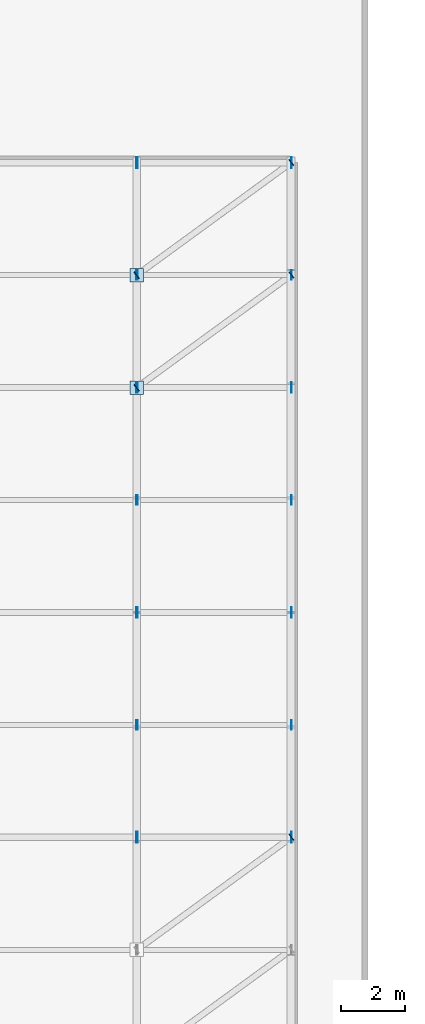
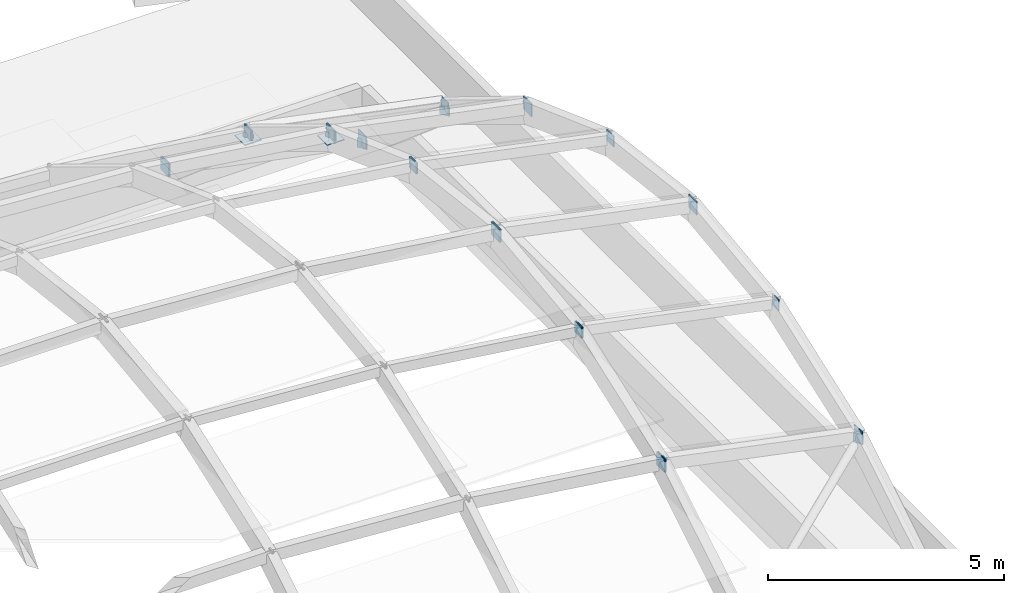
# One storey, part 97 of 128: 28 plates.
"""IFC4 building model written with IfcOpenShell, lengths in metres."""

from ifc_helpers import new_model, si_unit, direction, frame, origin, origin_2d, place, context, subcontext, project, spatial, rectangle, extrude, material, layer, layer_set, type_object, element, save


model = new_model("IFC4")

# Units and contexts
model_context = context("Model", 3, precision=1e-05, world=origin(), true_north=direction((0.0, 1.0)))
body_context = subcontext(model_context, "Body", "Model", "MODEL_VIEW")
ifc_project = project(units=[si_unit("LENGTHUNIT", "METRE"), si_unit("AREAUNIT", "SQUARE_METRE"), si_unit("VOLUMEUNIT", "CUBIC_METRE"), si_unit("PLANEANGLEUNIT", "RADIAN"), si_unit("MASSUNIT", "GRAM", prefix="KILO")], contexts=[model_context])

# Site, building, storey
site_placement = place(None, origin())
site = spatial("IfcSite", under=ifc_project, at=site_placement, CompositionType="ELEMENT")
building_placement = place(site_placement, origin())
building = spatial("IfcBuilding", under=site, at=building_placement, Name="Tarnwether General Hospital", CompositionType="ELEMENT")
storey_placement = place(building_placement, frame((0.0, 0.0, 14.39990234375)))
storey = spatial("IfcBuildingStorey", under=building, at=storey_placement, Name="L03", CompositionType="ELEMENT", Elevation=14.39990234375)

# Plates
ifc_material = material(Name="Steel Grade 350 (350 MPa)", Category="steel")
ifc_layer = layer(ifc_material, 0.02490234375)
ifc_layer_set = layer_set([ifc_layer], Name="Steel Grade 350 (350 MPa)")
plate_type = type_object("IfcPlateType", Name="PT-GUS2", PredefinedType="USERDEFINED", material=ifc_layer_set)
for number, where, z_axis, x_axis, name in (
    (1, (136.800048828125, 68.60009765625, 6.067138671875), (0.0, 0.0, 1.0), (1.0, 0.0, 0.0), "Gridshell Star Gusset Node 054"),
    (2, (136.800048828125, 72.10009765625, 3.942138671875), (0.0, 0.0, 1.0), (1.0, 0.0, 0.0), "Gridshell Star Gusset Node 055"),
):
    element("IfcPlate", number, at=place(storey_placement, frame(where, z_axis=z_axis, x_axis=x_axis)), inside=storey, type_object=plate_type, Name=name, ObjectType="GUSSET", PredefinedType="USERDEFINED", context=body_context, shape_type="SweptSolid", body=[
        extrude(rectangle(XDim=0.419921875, YDim=0.419921875, at=origin_2d()), origin(), (0.0, 0.0, 1.0), 0.02490234375),
    ])
for number, where, z_axis, x_axis, name in (
    (3, (136.8125, 54.60009765625, 6.01806640625), (0.0, 0.0, 1.0), (1.0, 0.0, 0.0), "Hollow Section Welded End Cap Plate 1282"),
    (4, (136.787841796875, 54.60009765625, 6.02197265625), (0.0, 0.0, 1.0), (1.0, 0.0, 0.0), "Hollow Section Welded End Cap Plate 1283"),
    (5, (141.6123046875, 54.60009765625, 5.03759765625), (0.0, 0.0, 1.0), (1.0, 0.0, 0.0), "Hollow Section Welded End Cap Plate 1284"),
):
    element("IfcPlate", number, at=place(storey_placement, frame(where, z_axis=z_axis, x_axis=x_axis)), inside=storey, type_object=plate_type, Name=name, ObjectType="GUSSET", PredefinedType="USERDEFINED", context=body_context, shape_type="SweptSolid", body=[
        extrude(rectangle(XDim=0.02490234375, YDim=0.340087890625, at=origin_2d()), origin(), (0.0, 0.0, 1.0), 0.340087890625),
    ])
for number, where, z_axis, x_axis, name in (
    (6, (136.8125, 58.10009765625, 7.343017578125), (0.0, 0.0, 1.0), (1.0, 0.0, 0.0), "Hollow Section Welded End Cap Plate 1296"),
    (7, (136.787841796875, 58.10009765625, 7.34716796875), (0.0, 0.0, 1.0), (1.0, 0.0, 0.0), "Hollow Section Welded End Cap Plate 1297"),
    (8, (141.6123046875, 58.10009765625, 6.362548828125), (0.0, 0.0, 1.0), (1.0, 0.0, 0.0), "Hollow Section Welded End Cap Plate 1298"),
):
    element("IfcPlate", number, at=place(storey_placement, frame(where, z_axis=z_axis, x_axis=x_axis)), inside=storey, type_object=plate_type, Name=name, ObjectType="GUSSET", PredefinedType="USERDEFINED", context=body_context, shape_type="SweptSolid", body=[
        extrude(rectangle(XDim=0.02490234375, YDim=0.2900390625, at=origin_2d()), origin(), (0.0, 0.0, 1.0), 0.2900390625),
    ])
for number, where, z_axis, x_axis, name in (
    (9, (136.8125, 61.60009765625, 7.7177734375), (0.0, 0.0, 1.0), (1.0, 0.0, 0.0), "Hollow Section Welded End Cap Plate 1310"),
    (10, (136.787841796875, 61.60009765625, 7.72216796875), (0.0, 0.0, 1.0), (1.0, 0.0, 0.0), "Hollow Section Welded End Cap Plate 1311"),
    (11, (141.6123046875, 61.60009765625, 6.73779296875), (0.0, 0.0, 1.0), (1.0, 0.0, 0.0), "Hollow Section Welded End Cap Plate 1312"),
):
    element("IfcPlate", number, at=place(storey_placement, frame(where, z_axis=z_axis, x_axis=x_axis)), inside=storey, type_object=plate_type, Name=name, ObjectType="GUSSET", PredefinedType="USERDEFINED", context=body_context, shape_type="SweptSolid", body=[
        extrude(rectangle(XDim=0.02490234375, YDim=0.340087890625, at=origin_2d()), origin(), (0.0, 0.0, 1.0), 0.340087890625),
    ])
for number, where, z_axis, x_axis, name in (
    (12, (136.8125, 65.10009765625, 7.343017578125), (0.0, 0.0, 1.0), (1.0, 0.0, 0.0), "Hollow Section Welded End Cap Plate 1324"),
    (13, (136.787841796875, 65.10009765625, 7.34716796875), (0.0, 0.0, 1.0), (1.0, 0.0, 0.0), "Hollow Section Welded End Cap Plate 1325"),
    (14, (141.6123046875, 65.10009765625, 6.362548828125), (0.0, 0.0, 1.0), (1.0, 0.0, 0.0), "Hollow Section Welded End Cap Plate 1326"),
):
    element("IfcPlate", number, at=place(storey_placement, frame(where, z_axis=z_axis, x_axis=x_axis)), inside=storey, type_object=plate_type, Name=name, ObjectType="GUSSET", PredefinedType="USERDEFINED", context=body_context, shape_type="SweptSolid", body=[
        extrude(rectangle(XDim=0.02490234375, YDim=0.2900390625, at=origin_2d()), origin(), (0.0, 0.0, 1.0), 0.2900390625),
    ])
for number, where, z_axis, x_axis, name in (
    (15, (136.8125, 68.60009765625, 6.01806640625), (0.0, 0.0, 1.0), (1.0, 0.0, 0.0), "Hollow Section Welded End Cap Plate 1338"),
    (16, (136.787841796875, 68.60009765625, 6.02197265625), (0.0, 0.0, 1.0), (1.0, 0.0, 0.0), "Hollow Section Welded End Cap Plate 1339"),
    (17, (141.6123046875, 68.60009765625, 5.03759765625), (0.0, 0.0, 1.0), (1.0, 0.0, 0.0), "Hollow Section Welded End Cap Plate 1340"),
):
    element("IfcPlate", number, at=place(storey_placement, frame(where, z_axis=z_axis, x_axis=x_axis)), inside=storey, type_object=plate_type, Name=name, ObjectType="GUSSET", PredefinedType="USERDEFINED", context=body_context, shape_type="SweptSolid", body=[
        extrude(rectangle(XDim=0.02490234375, YDim=0.340087890625, at=origin_2d()), origin(), (0.0, 0.0, 1.0), 0.340087890625),
    ])
for number, where, z_axis, x_axis, name in (
    (18, (136.8125, 72.10009765625, 3.94287109375), (0.0, 0.0, 1.0), (1.0, 0.0, 0.0), "Hollow Section Welded End Cap Plate 1352"),
    (19, (136.787841796875, 72.10009765625, 3.947265625), (0.0, 0.0, 1.0), (1.0, 0.0, 0.0), "Hollow Section Welded End Cap Plate 1353"),
    (20, (141.6123046875, 72.10009765625, 2.962646484375), (0.0, 0.0, 1.0), (1.0, 0.0, 0.0), "Hollow Section Welded End Cap Plate 1354"),
):
    element("IfcPlate", number, at=place(storey_placement, frame(where, z_axis=z_axis, x_axis=x_axis)), inside=storey, type_object=plate_type, Name=name, ObjectType="GUSSET", PredefinedType="USERDEFINED", context=body_context, shape_type="SweptSolid", body=[
        extrude(rectangle(XDim=0.02490234375, YDim=0.2900390625, at=origin_2d()), origin(), (0.0, 0.0, 1.0), 0.2900390625),
    ])
for number, where, z_axis, x_axis, name in (
    (21, (136.8125, 75.60009765625, 0.91796875), (0.0, 0.0, 1.0), (1.0, 0.0, 0.0), "Hollow Section Welded End Cap Plate 1366"),
    (22, (136.787841796875, 75.60009765625, 0.92236328125), (0.0, 0.0, 1.0), (1.0, 0.0, 0.0), "Hollow Section Welded End Cap Plate 1367"),
    (23, (141.6123046875, 75.60009765625, -0.0625), (0.0, 0.0, 1.0), (1.0, 0.0, 0.0), "Hollow Section Welded End Cap Plate 1368"),
):
    element("IfcPlate", number, at=place(storey_placement, frame(where, z_axis=z_axis, x_axis=x_axis)), inside=storey, type_object=plate_type, Name=name, ObjectType="GUSSET", PredefinedType="USERDEFINED", context=body_context, shape_type="SweptSolid", body=[
        extrude(rectangle(XDim=0.02490234375, YDim=0.340087890625, at=origin_2d()), origin(), (0.0, 0.0, 1.0), 0.340087890625),
    ])
for number, where, z_axis, x_axis, name in (
    (24, (141.60986328125, 54.607177734375, 4.985595703125), (0.0, 0.0, 1.0), (0.808010450239, 0.589168152827, 0.0), "Hollow Section Welded End Cap Plate 1380"),
    (25, (136.791015625, 68.593505859375, 5.968505859375), (0.0, 0.0, 1.0), (0.808010450239, 0.589168152827, 0.0), "Hollow Section Welded End Cap Plate 1381"),
    (26, (141.60888671875, 72.1064453125, 2.852294921875), (0.0, 0.0, 1.0), (0.808010450239, 0.589168152827, 0.0), "Hollow Section Welded End Cap Plate 1382"),
    (27, (136.79150390625, 72.093994140625, 3.8447265625), (0.0, 0.0, 1.0), (0.808010450239, 0.589168152827, 0.0), "Hollow Section Welded End Cap Plate 1383"),
    (28, (141.6083984375, 75.606201171875, -0.123779296875), (0.0, 0.0, 1.0), (0.808010450239, 0.589168152827, 0.0), "Hollow Section Welded End Cap Plate 1384"),
):
    element("IfcPlate", number, at=place(storey_placement, frame(where, z_axis=z_axis, x_axis=x_axis)), inside=storey, type_object=plate_type, Name=name, ObjectType="GUSSET", PredefinedType="USERDEFINED", context=body_context, shape_type="SweptSolid", body=[
        extrude(rectangle(XDim=0.02490234375, YDim=0.23388671875, at=origin_2d()), origin(), (0.0, 0.0, 1.0), 0.23388671875),
    ])

save(model, "model.ifc")
